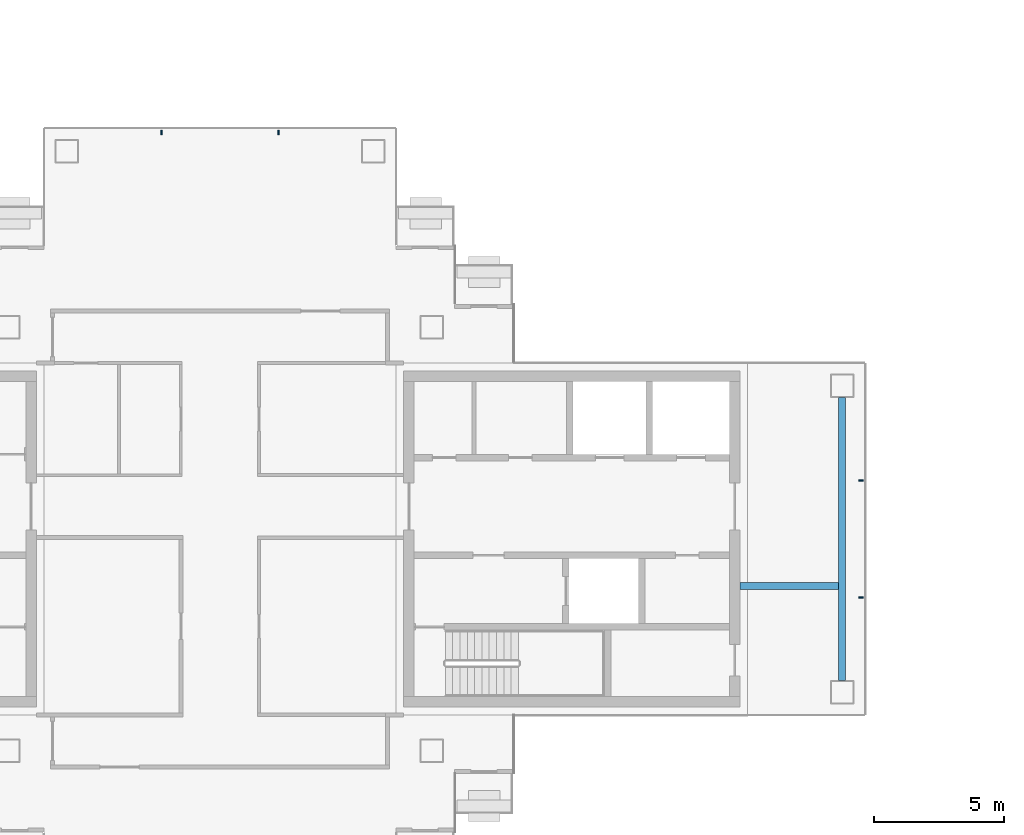
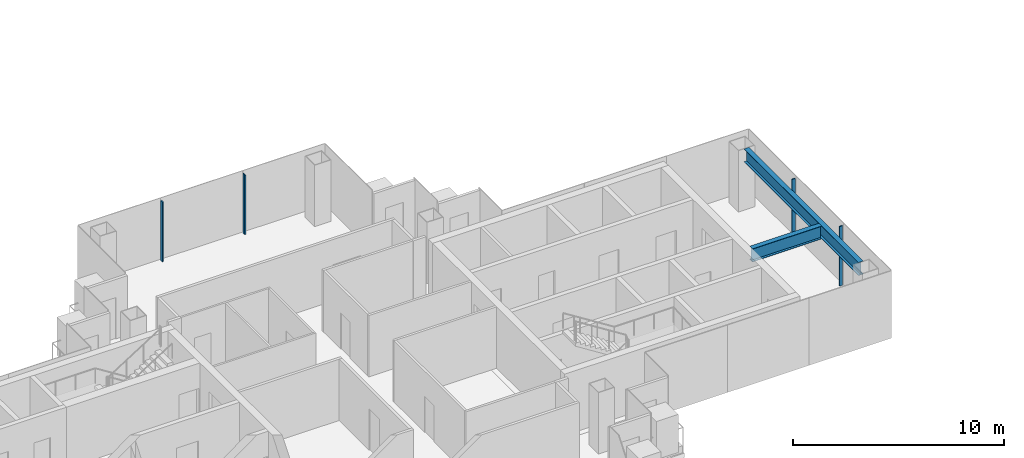
# One storey, part 4 of 17: 4 members, 2 beams, 2 elements without a shape of their own.
"""IFC4 building model written with IfcOpenShell, lengths in metres."""

from ifc_helpers import new_model, si_unit, direction, frame, origin, origin_2d, place, context, subcontext, project, spatial, rectangle, i_section, extrude, material, layer, layer_set, material_profile, profile_set, type_object, element, aggregate, save


model = new_model("IFC4")

# Units and contexts
model_context = context("Model", 3, precision=1e-05, world=origin(), true_north=direction((0.0, 1.0)))
body_context = subcontext(model_context, "Body", "Model", "MODEL_VIEW")
ifc_project = project(units=[si_unit("LENGTHUNIT", "METRE"), si_unit("AREAUNIT", "SQUARE_METRE"), si_unit("VOLUMEUNIT", "CUBIC_METRE"), si_unit("PLANEANGLEUNIT", "RADIAN"), si_unit("MASSUNIT", "GRAM", prefix="KILO")], contexts=[model_context])

# Site, building, storey
site_placement = place(None, origin())
site = spatial("IfcSite", under=ifc_project, at=site_placement, CompositionType="ELEMENT")
building_placement = place(site_placement, origin())
building = spatial("IfcBuilding", under=site, at=building_placement, Name="Shamsa Quay Exchange Towers", CompositionType="ELEMENT")
storey_placement = place(building_placement, frame((0.0, 0.0, 249.89990234375)))
storey = spatial("IfcBuildingStorey", under=building, at=storey_placement, Name="L60", CompositionType="ELEMENT", Elevation=249.89990234375)

# Curtain wall, members
ifc_material_1 = material(Name="Aluminium EN AW-6063 T6, black anodised", Category="aluminium")
ifc_layer = layer(ifc_material_1, 0.280029296875)
ifc_layer_set = layer_set([ifc_layer], Name="CW-1 UNITISED VISION GLASS")
curtain_wall_type = type_object("IfcCurtainWallType", Name="CW-1 UNITISED VISION GLASS", PredefinedType="NOTDEFINED", material=ifc_layer_set)
curtain_wall_1_placement = place(storey_placement, origin())
curtain_wall_1 = element("IfcCurtainWall", 1, at=curtain_wall_1_placement, inside=storey, type_object=curtain_wall_type, Name="CW1 T1-END-U+ L60", PredefinedType="NOTDEFINED")
ifc_material_profile_1 = material_profile(ifc_material_1, rectangle(XDim=0.179931640625, YDim=0.06005859375, at=origin_2d()), Name="MU60x180")
ifc_profile_set_1 = profile_set([ifc_material_profile_1], Name="Aluminium EN AW-6063 T6, black anodised")
member_type = type_object("IfcMemberType", Name="CW1 MULLION 60x180", PredefinedType="MULLION", material=ifc_profile_set_1)
member_1_placement = place(storey_placement, frame((-9.14990234375, -2.25, 0.0), z_axis=(0.0, 0.0, 1.0), x_axis=(-1.0, 0.0, 0.0)))
member_1 = element("IfcMember", 2, at=member_1_placement, type_object=member_type, Name="CW1 mullion", PredefinedType="MULLION", context=body_context, shape_type="SweptSolid", body=[
    extrude(rectangle(XDim=0.179931640625, YDim=0.06005859375, at=origin_2d()), origin(), (0.0, 0.0, 1.0), 3.4501953125),
])
member_2_placement = place(storey_placement, frame((-9.14990234375, 2.25, 0.0), z_axis=(0.0, 0.0, 1.0), x_axis=(-1.0, 0.0, 0.0)))
member_2 = element("IfcMember", 3, at=member_2_placement, type_object=member_type, Name="CW1 mullion", PredefinedType="MULLION", context=body_context, shape_type="SweptSolid", body=[
    extrude(rectangle(XDim=0.179931640625, YDim=0.06005859375, at=origin_2d()), origin(), (0.0, 0.0, 1.0), 3.4501953125),
])
aggregate(curtain_wall_1, [member_1, member_2])

curtain_wall_2_placement = place(storey_placement, origin())
curtain_wall_2 = element("IfcCurtainWall", 4, at=curtain_wall_2_placement, inside=storey, type_object=curtain_wall_type, Name="CW1 T1-END-V+ L60", PredefinedType="NOTDEFINED")
member_3_placement = place(storey_placement, frame((-31.5, 15.60009765625, 0.0), z_axis=(0.0, 0.0, 1.0), x_axis=(0.0, -1.0, 0.0)))
member_3 = element("IfcMember", 5, at=member_3_placement, type_object=member_type, Name="CW1 mullion", PredefinedType="MULLION", context=body_context, shape_type="SweptSolid", body=[
    extrude(rectangle(XDim=0.179931640625, YDim=0.06005859375, at=origin_2d()), origin(), (0.0, 0.0, 1.0), 3.4501953125),
])
member_4_placement = place(storey_placement, frame((-36.0, 15.60009765625, 0.0), z_axis=(0.0, 0.0, 1.0), x_axis=(0.0, -1.0, 0.0)))
member_4 = element("IfcMember", 6, at=member_4_placement, type_object=member_type, Name="CW1 mullion", PredefinedType="MULLION", context=body_context, shape_type="SweptSolid", body=[
    extrude(rectangle(XDim=0.179931640625, YDim=0.06005859375, at=origin_2d()), origin(), (0.0, 0.0, 1.0), 3.4501953125),
])
aggregate(curtain_wall_2, [member_3, member_4])

# Beams
ifc_material_2 = material(Name="Steel S355", Category="steel")
ifc_material_profile_2 = material_profile(ifc_material_2, i_section(OverallWidth=0.26611328125, OverallDepth=0.7578125, WebThickness=0.013916015625, FlangeThickness=0.019287109375, at=origin_2d()), Name="W30x108")
ifc_profile_set_2 = profile_set([ifc_material_profile_2], Name="Steel S355")
beam_type = type_object("IfcBeamType", Name="End-zone beam W30x108", PredefinedType="BEAM", material=ifc_profile_set_2)
beam_1_placement = place(storey_placement, frame((-9.875, -5.425048828125, 3.171142578125), z_axis=(0.0, 1.0, 0.0), x_axis=(-1.0, 0.0, 0.0)))
element("IfcBeam", 7, at=beam_1_placement, inside=storey, type_object=beam_type, Name="End beam T1 U+ end zone L60", PredefinedType="BEAM", context=body_context, shape_type="SweptSolid", body=[
    extrude(i_section(OverallWidth=0.26611328125, OverallDepth=0.7578125, WebThickness=0.013916015625, FlangeThickness=0.019287109375, at=origin_2d()), origin(), (0.0, 0.0, 1.0), 10.85009765625),
])
beam_2_placement = place(storey_placement, frame((-13.800048828125, -1.800048828125, 3.171142578125), z_axis=(1.0, 0.0, 0.0), x_axis=(0.0, 1.0, 0.0)))
element("IfcBeam", 8, at=beam_2_placement, inside=storey, type_object=beam_type, Name="Spine beam T1 U+ end zone L60", PredefinedType="BEAM", context=body_context, shape_type="SweptSolid", body=[
    extrude(i_section(OverallWidth=0.26611328125, OverallDepth=0.7578125, WebThickness=0.013916015625, FlangeThickness=0.019287109375, at=origin_2d()), origin(), (0.0, 0.0, 1.0), 3.7919921875),
])

save(model, "model.ifc")
